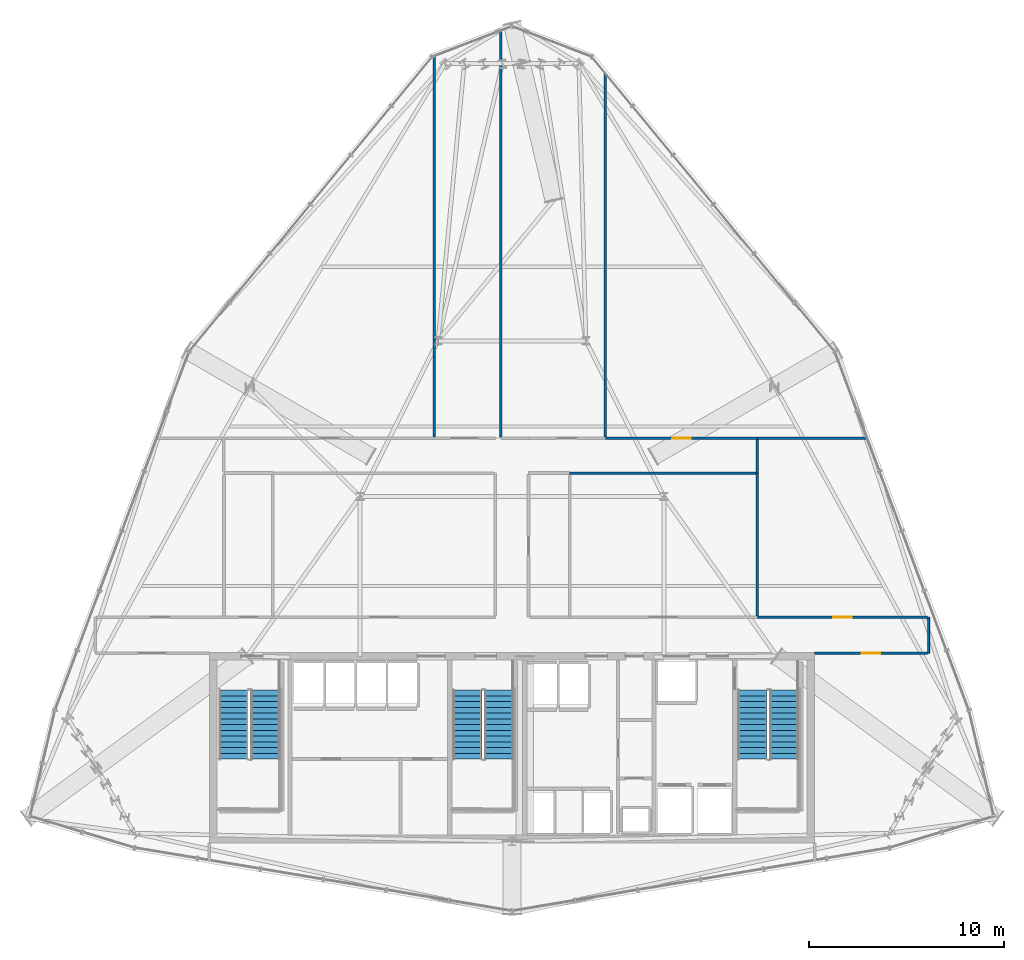
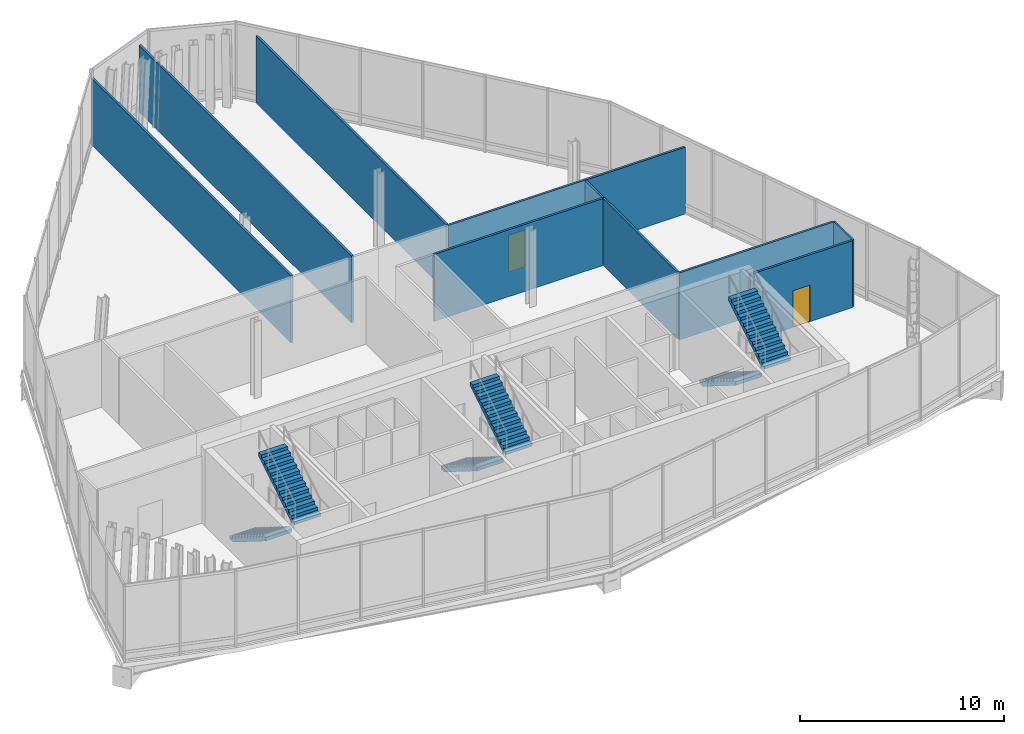
# One storey, part 25 of 28: 11 walls, 6 stair flights, 3 doors, 3 openings, 3 elements without a shape of their own.
"""IFC4 building model written with IfcOpenShell, lengths in metres."""

from ifc_helpers import new_model, si_unit, direction, frame, frame_2d, origin, place, context, subcontext, project, spatial, polyline, rectangle, outline, extrude, material, layer, layer_set, type_object, element, fill, aggregate, save


model = new_model("IFC4")

# Units and contexts
model_context = context("Model", 3, precision=1e-05, world=origin(), true_north=direction((0.0, 1.0)))
body_context = subcontext(model_context, "Body", "Model", "MODEL_VIEW")
ifc_project = project(units=[si_unit("LENGTHUNIT", "METRE"), si_unit("AREAUNIT", "SQUARE_METRE"), si_unit("VOLUMEUNIT", "CUBIC_METRE"), si_unit("PLANEANGLEUNIT", "RADIAN"), si_unit("MASSUNIT", "GRAM", prefix="KILO")], contexts=[model_context])

# Site, building, storey
site_placement = place(None, origin())
site = spatial("IfcSite", under=ifc_project, at=site_placement, CompositionType="ELEMENT")
building_placement = place(site_placement, origin())
building = spatial("IfcBuilding", under=site, at=building_placement, Name="Ndaravel Arena Tower", CompositionType="ELEMENT")
storey_placement = place(building_placement, frame((0.0, 0.0, 213.199951171875)))
storey = spatial("IfcBuildingStorey", under=building, at=storey_placement, Name="L51", CompositionType="ELEMENT", Elevation=213.199951171875)

# Wall
ifc_material_1 = material(Name="Timber", Category="wood")
ifc_layer_1 = layer(ifc_material_1, 0.10009765625)
ifc_layer_set_1 = layer_set([ifc_layer_1], Name="Timber")
wall_type_1 = type_object("IfcWallType", Name="WALL-MOVABLE-100", PredefinedType="MOVABLE", material=ifc_layer_set_1)
wall_1_placement = place(storey_placement, frame((63.406982421875, 17.0, 0.0), z_axis=(0.0, 0.0, 1.0), x_axis=(0.0, -1.0, 0.0)))
element("IfcWall", 1, at=wall_1_placement, inside=storey, type_object=wall_type_1, Name="L51 Interior Partition 001", PredefinedType="MOVABLE", context=body_context, shape_type="SweptSolid", body=[
    extrude(rectangle(XDim=1.85009765625, YDim=0.10009765625, at=frame_2d((0.925048828125, 0.0))), origin(), (0.0, 0.0, 1.0), 4.010498046875),
])

# Wall, opening, door
ifc_material_2 = material(Name="Gypsum", Category="gypsum")
ifc_layer_2 = layer(ifc_material_2, 0.125)
ifc_layer_set_2 = layer_set([ifc_layer_2], Name="Gypsum")
wall_type_2 = type_object("IfcWallType", Name="WALL-PART-125", PredefinedType="PARTITIONING", material=ifc_layer_set_2)
wall_2_placement = place(storey_placement, frame((63.342041015625, 15.14990234375, 0.0), z_axis=(0.0, 0.0, 1.0), x_axis=(-1.0, 0.0, 0.0)))
wall_2 = element("IfcWall", 2, at=wall_2_placement, inside=storey, type_object=wall_type_2, Name="L51 Interior Partition 002", PredefinedType="PARTITIONING", context=body_context, shape_type="SweptSolid", body=[
    extrude(rectangle(XDim=5.7919921875, YDim=0.125, at=frame_2d((2.89599609375, 0.0))), origin(), (0.0, 0.0, 1.0), 4.010498046875),
])
opening_1_placement = place(wall_2_placement, frame((2.4208984375, 0.0, 0.0)))
opening_1 = element("IfcOpeningElement", 3, at=opening_1_placement, cuts=wall_2, Name="Opening ID-01", PredefinedType="OPENING", context=body_context, shape_type="SweptSolid", body=[
    extrude(rectangle(XDim=0.949951171875, YDim=2.199951171875, at=frame_2d((0.47509765625, 1.10009765625))), frame((0.0, 0.0625, 0.0), z_axis=(0.0, -1.0, 0.0), x_axis=(1.0, 0.0, 0.0)), (0.0, 0.0, 1.0), 0.125),
])
ifc_material_3 = material(Name="Timber", Category="wood")
door_type = type_object("IfcDoorType", Name="DT-03-OFFICE-950", OperationType="SINGLE_SWING_LEFT", PredefinedType="DOOR", material=ifc_material_3)
door_1_placement = place(opening_1_placement, origin())
door_1 = element("IfcDoor", 4, at=door_1_placement, inside=storey, type_object=door_type, Name="L51 Staff Wellness Clinic Door", OperationType="SINGLE_SWING_LEFT", OverallHeight=2.199951171875, OverallWidth=0.949951171875, PredefinedType="DOOR", context=body_context, shape_type="SweptSolid", body=[
    extrude(rectangle(XDim=0.949951171875, YDim=2.199951171875, at=frame_2d((0.47509765625, 1.10009765625))), frame((0.0, 0.02490234375, 0.0), z_axis=(0.0, -1.0, 0.0), x_axis=(1.0, 0.0, 0.0)), (0.0, 0.0, 1.0), 0.050048828125),
])
fill(opening_1, door_1)

wall_3_placement = place(storey_placement, frame((46.800048828125, 26.199951171875, 0.0), z_axis=(0.0, 0.0, 1.0), x_axis=(1.0, 0.0, 0.0)))
wall_3 = element("IfcWall", 5, at=wall_3_placement, inside=storey, type_object=wall_type_2, Name="L51 Interior Partition 016", PredefinedType="PARTITIONING", context=body_context, shape_type="SweptSolid", body=[
    extrude(rectangle(XDim=7.800048828125, YDim=0.125, at=frame_2d((3.89990234375, 0.0))), origin(), (0.0, 0.0, 1.0), 4.010498046875),
])
opening_2_placement = place(wall_3_placement, frame((3.425048828125, 0.0, 0.0)))
opening_2 = element("IfcOpeningElement", 6, at=opening_2_placement, cuts=wall_3, Name="Opening ID-01", PredefinedType="OPENING", context=body_context, shape_type="SweptSolid", body=[
    extrude(rectangle(XDim=0.949951171875, YDim=2.199951171875, at=frame_2d((0.47509765625, 1.10009765625))), frame((0.0, 0.0625, 0.0), z_axis=(0.0, -1.0, 0.0), x_axis=(1.0, 0.0, 0.0)), (0.0, 0.0, 1.0), 0.125),
])
door_2_placement = place(opening_2_placement, origin())
door_2 = element("IfcDoor", 7, at=door_2_placement, inside=storey, type_object=door_type, Name="L51 Occupational Consult Room 2 Door", OperationType="SINGLE_SWING_RIGHT", OverallHeight=2.199951171875, OverallWidth=0.949951171875, PredefinedType="DOOR", context=body_context, shape_type="SweptSolid", body=[
    extrude(rectangle(XDim=0.949951171875, YDim=2.199951171875, at=frame_2d((0.47509765625, 1.10009765625))), frame((0.0, 0.02490234375, 0.0), z_axis=(0.0, -1.0, 0.0), x_axis=(1.0, 0.0, 0.0)), (0.0, 0.0, 1.0), 0.050048828125),
])
fill(opening_2, door_2)

# Walls
wall_4_placement = place(storey_placement, frame((54.60009765625, 26.135009765625, 0.0), z_axis=(0.0, 0.0, 1.0), x_axis=(0.0, -1.0, 0.0)))
element("IfcWall", 8, at=wall_4_placement, inside=storey, type_object=wall_type_2, Name="L51 Interior Partition 017", PredefinedType="PARTITIONING", context=body_context, shape_type="SweptSolid", body=[
    extrude(rectangle(XDim=1.735107421875, YDim=0.125, at=frame_2d((0.86767578125, 0.0))), origin(), (0.0, 0.0, 1.0), 4.010498046875),
])
wall_5_placement = place(storey_placement, frame((54.534912109375, 24.39990234375, 0.0), z_axis=(0.0, 0.0, 1.0), x_axis=(-1.0, 0.0, 0.0)))
element("IfcWall", 9, at=wall_5_placement, inside=storey, type_object=wall_type_2, Name="L51 Interior Partition 018", PredefinedType="PARTITIONING", context=body_context, shape_type="SweptSolid", body=[
    extrude(rectangle(XDim=9.56982421875, YDim=0.125, at=frame_2d((4.784912109375, 0.0))), origin(), (0.0, 0.0, 1.0), 4.010498046875),
])

# Wall, opening, door
wall_6_placement = place(storey_placement, frame((54.60009765625, 17.0, 0.0), z_axis=(0.0, 0.0, 1.0), x_axis=(1.0, 0.0, 0.0)))
wall_6 = element("IfcWall", 10, at=wall_6_placement, inside=storey, type_object=wall_type_2, Name="L51 Interior Partition 023", PredefinedType="PARTITIONING", context=body_context, shape_type="SweptSolid", body=[
    extrude(rectangle(XDim=8.741943359375, YDim=0.125, at=frame_2d((4.37109375, 0.0))), origin(), (0.0, 0.0, 1.0), 4.010498046875),
])
opening_3_placement = place(wall_6_placement, frame((3.89599609375, 0.0, 0.0)))
opening_3 = element("IfcOpeningElement", 11, at=opening_3_placement, cuts=wall_6, Name="Opening ID-01", PredefinedType="OPENING", context=body_context, shape_type="SweptSolid", body=[
    extrude(rectangle(XDim=0.949951171875, YDim=2.199951171875, at=frame_2d((0.47509765625, 1.10009765625))), frame((0.0, 0.0625, 0.0), z_axis=(0.0, -1.0, 0.0), x_axis=(1.0, 0.0, 0.0)), (0.0, 0.0, 1.0), 0.125),
])
door_3_placement = place(opening_3_placement, origin())
door_3 = element("IfcDoor", 12, at=door_3_placement, inside=storey, type_object=door_type, Name="L51 Quiet Study Room 3 Door", OperationType="SINGLE_SWING_LEFT", OverallHeight=2.199951171875, OverallWidth=0.949951171875, PredefinedType="DOOR", context=body_context, shape_type="SweptSolid", body=[
    extrude(rectangle(XDim=0.949951171875, YDim=2.199951171875, at=frame_2d((0.47509765625, 1.10009765625))), frame((0.0, 0.02490234375, 0.0), z_axis=(0.0, -1.0, 0.0), x_axis=(1.0, 0.0, 0.0)), (0.0, 0.0, 1.0), 0.050048828125),
])
fill(opening_3, door_3)

# Walls
wall_7_placement = place(storey_placement, frame((54.60009765625, 24.39990234375, 0.0), z_axis=(0.0, 0.0, 1.0), x_axis=(0.0, -1.0, 0.0)))
element("IfcWall", 13, at=wall_7_placement, inside=storey, type_object=wall_type_2, Name="L51 Interior Partition 029", PredefinedType="PARTITIONING", context=body_context, shape_type="SweptSolid", body=[
    extrude(rectangle(XDim=7.3349609375, YDim=0.125, at=frame_2d((3.66748046875, 0.0))), origin(), (0.0, 0.0, 1.0), 4.010498046875),
])
wall_8_placement = place(storey_placement, frame((54.60009765625, 26.199951171875, 0.0), z_axis=(0.0, 0.0, 1.0), x_axis=(1.0, 0.0, 0.0)))
element("IfcWall", 14, at=wall_8_placement, inside=storey, type_object=wall_type_2, Name="L51 Interior Partition 031", PredefinedType="PARTITIONING", context=body_context, shape_type="SweptSolid", body=[
    extrude(rectangle(XDim=5.648681640625, YDim=0.125, at=frame_2d((2.82421875, 0.0))), origin(), (0.0, 0.0, 1.0), 4.010498046875),
])
wall_9_placement = place(storey_placement, frame((46.800048828125, 26.264892578125, 0.0), z_axis=(0.0, 0.0, 1.0), x_axis=(0.0, 1.0, 0.0)))
element("IfcWall", 15, at=wall_9_placement, inside=storey, type_object=wall_type_2, Name="L51 Interior Partition 032", PredefinedType="PARTITIONING", context=body_context, shape_type="SweptSolid", body=[
    extrude(rectangle(XDim=18.678955078125, YDim=0.125, at=frame_2d((9.33935546875, 0.0))), origin(), (0.0, 0.0, 1.0), 4.010498046875),
])
wall_10_placement = place(storey_placement, frame((38.0, 45.829345703125, 0.0), z_axis=(0.0, 0.0, 1.0), x_axis=(0.0, -1.0, 0.0)))
element("IfcWall", 16, at=wall_10_placement, inside=storey, type_object=wall_type_2, Name="L51 Interior Partition 033", PredefinedType="PARTITIONING", context=body_context, shape_type="SweptSolid", body=[
    extrude(rectangle(XDim=19.564453125, YDim=0.125, at=frame_2d((9.7822265625, 0.0))), origin(), (0.0, 0.0, 1.0), 4.010498046875),
])
wall_11_placement = place(storey_placement, frame((41.431884765625, 47.13720703125, 0.0), z_axis=(0.0, 0.0, 1.0), x_axis=(0.0, -1.0, 0.0)))
element("IfcWall", 17, at=wall_11_placement, inside=storey, type_object=wall_type_2, Name="L51 Interior Partition 034", PredefinedType="PARTITIONING", context=body_context, shape_type="SweptSolid", body=[
    extrude(rectangle(XDim=20.872314453125, YDim=0.125, at=frame_2d((10.43603515625, 0.0))), origin(), (0.0, 0.0, 1.0), 4.010498046875),
])

# Stair, stair flights
ifc_material_4 = material(Name="Concrete C40/50", Category="concrete")
stair_type = type_object("IfcStairType", Name="STAIR-CORE-HT", PredefinedType="HALF_TURN_STAIR", material=ifc_material_4)
stair_1_placement = place(storey_placement, origin())
stair_1 = element("IfcStair", 18, at=stair_1_placement, inside=storey, type_object=stair_type, Name="L51 ST-1", PredefinedType="HALF_TURN_STAIR")
ifc_material_5 = material(Name="Concrete C40/50", Category="concrete")
stair_flight_type = type_object("IfcStairFlightType", Name="SFLIGHT-CORE-1680", PredefinedType="STRAIGHT", material=ifc_material_5)
stair_flight_1_placement = place(storey_placement, frame((27.699951171875, 13.25, 0.0), z_axis=(0.0, 0.0, 1.0), x_axis=(0.0, -1.0, 0.0)))
stair_flight_1 = element("IfcStairFlight", 19, at=stair_flight_1_placement, type_object=stair_flight_type, Name="ST-1 flight 1", NumberOfRisers=13, NumberOfTreads=12, PredefinedType="STRAIGHT", RiserHeight=0.184615385, TreadLength=0.295, context=body_context, shape_type="SweptSolid", body=[
    extrude(outline(polyline([(0.0, 0.0), (0.0, 0.1845703125), (0.294921875, 0.1845703125), (0.294921875, 0.369140625), (0.590087890625, 0.369140625), (0.590087890625, 0.553955078125), (0.885009765625, 0.553955078125), (0.885009765625, 0.738525390625), (1.179931640625, 0.738525390625), (1.179931640625, 0.923095703125), (1.47509765625, 0.923095703125), (1.47509765625, 1.107666015625), (1.77001953125, 1.107666015625), (1.77001953125, 1.292236328125), (2.06494140625, 1.292236328125), (2.06494140625, 1.476806640625), (2.360107421875, 1.476806640625), (2.360107421875, 1.66162109375), (2.655029296875, 1.66162109375), (2.655029296875, 1.84619140625), (2.949951171875, 1.84619140625), (2.949951171875, 2.03076171875), (3.2451171875, 2.03076171875), (3.2451171875, 2.21533203125), (3.5400390625, 2.21533203125), (3.5400390625, 2.39990234375), (3.5400390625, 2.003173828125), (0.339111328125, 0.0), (0.0, 0.0)])), frame((0.0, 0.75, 0.0), z_axis=(0.0, -1.0, 0.0), x_axis=(1.0, 0.0, 0.0)), (0.0, 0.0, 1.0), 1.5),
])
stair_flight_2_placement = place(storey_placement, frame((29.340087890625, 9.7099609375, 2.400146484375), z_axis=(0.0, 0.0, 1.0), x_axis=(0.0, 1.0, 0.0)))
stair_flight_2 = element("IfcStairFlight", 20, at=stair_flight_2_placement, type_object=stair_flight_type, Name="ST-1 flight 2", NumberOfRisers=13, NumberOfTreads=12, PredefinedType="STRAIGHT", RiserHeight=0.184615385, TreadLength=0.295, context=body_context, shape_type="SweptSolid", body=[
    extrude(outline(polyline([(0.0, 0.0), (0.0, 0.1845703125), (0.294921875, 0.1845703125), (0.294921875, 0.369140625), (0.590087890625, 0.369140625), (0.590087890625, 0.553955078125), (0.885009765625, 0.553955078125), (0.885009765625, 0.738525390625), (1.179931640625, 0.738525390625), (1.179931640625, 0.923095703125), (1.47509765625, 0.923095703125), (1.47509765625, 1.107666015625), (1.77001953125, 1.107666015625), (1.77001953125, 1.292236328125), (2.06494140625, 1.292236328125), (2.06494140625, 1.476806640625), (2.360107421875, 1.476806640625), (2.360107421875, 1.66162109375), (2.655029296875, 1.66162109375), (2.655029296875, 1.84619140625), (2.949951171875, 1.84619140625), (2.949951171875, 2.03076171875), (3.2451171875, 2.03076171875), (3.2451171875, 2.21533203125), (3.5400390625, 2.21533203125), (3.5400390625, 2.39990234375), (3.5400390625, 2.003173828125), (0.339111328125, 0.0), (0.0, 0.0)])), frame((0.0, 0.75, 0.0), z_axis=(0.0, -1.0, 0.0), x_axis=(1.0, 0.0, 0.0)), (0.0, 0.0, 1.0), 1.5),
])
aggregate(stair_1, [stair_flight_1, stair_flight_2])

stair_2_placement = place(storey_placement, origin())
stair_2 = element("IfcStair", 21, at=stair_2_placement, inside=storey, type_object=stair_type, Name="L51 ST-2", PredefinedType="HALF_TURN_STAIR")
stair_flight_3_placement = place(storey_placement, frame((39.699951171875, 13.25, 0.0), z_axis=(0.0, 0.0, 1.0), x_axis=(0.0, -1.0, 0.0)))
stair_flight_3 = element("IfcStairFlight", 22, at=stair_flight_3_placement, type_object=stair_flight_type, Name="ST-2 flight 1", NumberOfRisers=13, NumberOfTreads=12, PredefinedType="STRAIGHT", RiserHeight=0.184615385, TreadLength=0.295, context=body_context, shape_type="SweptSolid", body=[
    extrude(outline(polyline([(0.0, 0.0), (0.0, 0.1845703125), (0.294921875, 0.1845703125), (0.294921875, 0.369140625), (0.590087890625, 0.369140625), (0.590087890625, 0.553955078125), (0.885009765625, 0.553955078125), (0.885009765625, 0.738525390625), (1.179931640625, 0.738525390625), (1.179931640625, 0.923095703125), (1.47509765625, 0.923095703125), (1.47509765625, 1.107666015625), (1.77001953125, 1.107666015625), (1.77001953125, 1.292236328125), (2.06494140625, 1.292236328125), (2.06494140625, 1.476806640625), (2.360107421875, 1.476806640625), (2.360107421875, 1.66162109375), (2.655029296875, 1.66162109375), (2.655029296875, 1.84619140625), (2.949951171875, 1.84619140625), (2.949951171875, 2.03076171875), (3.2451171875, 2.03076171875), (3.2451171875, 2.21533203125), (3.5400390625, 2.21533203125), (3.5400390625, 2.39990234375), (3.5400390625, 2.003173828125), (0.339111328125, 0.0), (0.0, 0.0)])), frame((0.0, 0.75, 0.0), z_axis=(0.0, -1.0, 0.0), x_axis=(1.0, 0.0, 0.0)), (0.0, 0.0, 1.0), 1.5),
])
stair_flight_4_placement = place(storey_placement, frame((41.340087890625, 9.7099609375, 2.400146484375), z_axis=(0.0, 0.0, 1.0), x_axis=(0.0, 1.0, 0.0)))
stair_flight_4 = element("IfcStairFlight", 23, at=stair_flight_4_placement, type_object=stair_flight_type, Name="ST-2 flight 2", NumberOfRisers=13, NumberOfTreads=12, PredefinedType="STRAIGHT", RiserHeight=0.184615385, TreadLength=0.295, context=body_context, shape_type="SweptSolid", body=[
    extrude(outline(polyline([(0.0, 0.0), (0.0, 0.1845703125), (0.294921875, 0.1845703125), (0.294921875, 0.369140625), (0.590087890625, 0.369140625), (0.590087890625, 0.553955078125), (0.885009765625, 0.553955078125), (0.885009765625, 0.738525390625), (1.179931640625, 0.738525390625), (1.179931640625, 0.923095703125), (1.47509765625, 0.923095703125), (1.47509765625, 1.107666015625), (1.77001953125, 1.107666015625), (1.77001953125, 1.292236328125), (2.06494140625, 1.292236328125), (2.06494140625, 1.476806640625), (2.360107421875, 1.476806640625), (2.360107421875, 1.66162109375), (2.655029296875, 1.66162109375), (2.655029296875, 1.84619140625), (2.949951171875, 1.84619140625), (2.949951171875, 2.03076171875), (3.2451171875, 2.03076171875), (3.2451171875, 2.21533203125), (3.5400390625, 2.21533203125), (3.5400390625, 2.39990234375), (3.5400390625, 2.003173828125), (0.339111328125, 0.0), (0.0, 0.0)])), frame((0.0, 0.75, 0.0), z_axis=(0.0, -1.0, 0.0), x_axis=(1.0, 0.0, 0.0)), (0.0, 0.0, 1.0), 1.5),
])
aggregate(stair_2, [stair_flight_3, stair_flight_4])

stair_3_placement = place(storey_placement, origin())
stair_3 = element("IfcStair", 24, at=stair_3_placement, inside=storey, type_object=stair_type, Name="L51 ST-3", PredefinedType="HALF_TURN_STAIR")
stair_flight_5_placement = place(storey_placement, frame((54.35009765625, 13.25, 0.0), z_axis=(0.0, 0.0, 1.0), x_axis=(0.0, -1.0, 0.0)))
stair_flight_5 = element("IfcStairFlight", 25, at=stair_flight_5_placement, type_object=stair_flight_type, Name="ST-3 flight 1", NumberOfRisers=13, NumberOfTreads=12, PredefinedType="STRAIGHT", RiserHeight=0.184615385, TreadLength=0.295, context=body_context, shape_type="SweptSolid", body=[
    extrude(outline(polyline([(0.0, 0.0), (0.0, 0.1845703125), (0.294921875, 0.1845703125), (0.294921875, 0.369140625), (0.590087890625, 0.369140625), (0.590087890625, 0.553955078125), (0.885009765625, 0.553955078125), (0.885009765625, 0.738525390625), (1.179931640625, 0.738525390625), (1.179931640625, 0.923095703125), (1.47509765625, 0.923095703125), (1.47509765625, 1.107666015625), (1.77001953125, 1.107666015625), (1.77001953125, 1.292236328125), (2.06494140625, 1.292236328125), (2.06494140625, 1.476806640625), (2.360107421875, 1.476806640625), (2.360107421875, 1.66162109375), (2.655029296875, 1.66162109375), (2.655029296875, 1.84619140625), (2.949951171875, 1.84619140625), (2.949951171875, 2.03076171875), (3.2451171875, 2.03076171875), (3.2451171875, 2.21533203125), (3.5400390625, 2.21533203125), (3.5400390625, 2.39990234375), (3.5400390625, 2.003173828125), (0.339111328125, 0.0), (0.0, 0.0)])), frame((0.0, 0.75, 0.0), z_axis=(0.0, -1.0, 0.0), x_axis=(1.0, 0.0, 0.0)), (0.0, 0.0, 1.0), 1.5),
])
stair_flight_6_placement = place(storey_placement, frame((55.989990234375, 9.7099609375, 2.400146484375), z_axis=(0.0, 0.0, 1.0), x_axis=(0.0, 1.0, 0.0)))
stair_flight_6 = element("IfcStairFlight", 26, at=stair_flight_6_placement, type_object=stair_flight_type, Name="ST-3 flight 2", NumberOfRisers=13, NumberOfTreads=12, PredefinedType="STRAIGHT", RiserHeight=0.184615385, TreadLength=0.295, context=body_context, shape_type="SweptSolid", body=[
    extrude(outline(polyline([(0.0, 0.0), (0.0, 0.1845703125), (0.294921875, 0.1845703125), (0.294921875, 0.369140625), (0.590087890625, 0.369140625), (0.590087890625, 0.553955078125), (0.885009765625, 0.553955078125), (0.885009765625, 0.738525390625), (1.179931640625, 0.738525390625), (1.179931640625, 0.923095703125), (1.47509765625, 0.923095703125), (1.47509765625, 1.107666015625), (1.77001953125, 1.107666015625), (1.77001953125, 1.292236328125), (2.06494140625, 1.292236328125), (2.06494140625, 1.476806640625), (2.360107421875, 1.476806640625), (2.360107421875, 1.66162109375), (2.655029296875, 1.66162109375), (2.655029296875, 1.84619140625), (2.949951171875, 1.84619140625), (2.949951171875, 2.03076171875), (3.2451171875, 2.03076171875), (3.2451171875, 2.21533203125), (3.5400390625, 2.21533203125), (3.5400390625, 2.39990234375), (3.5400390625, 2.003173828125), (0.339111328125, 0.0), (0.0, 0.0)])), frame((0.0, 0.75, 0.0), z_axis=(0.0, -1.0, 0.0), x_axis=(1.0, 0.0, 0.0)), (0.0, 0.0, 1.0), 1.5),
])
aggregate(stair_3, [stair_flight_5, stair_flight_6])

save(model, "model.ifc")
